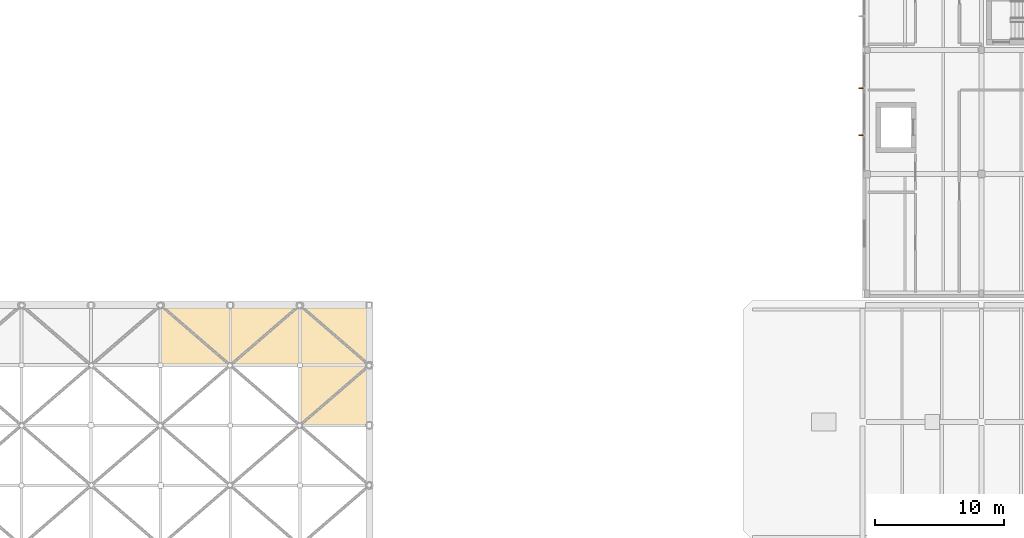
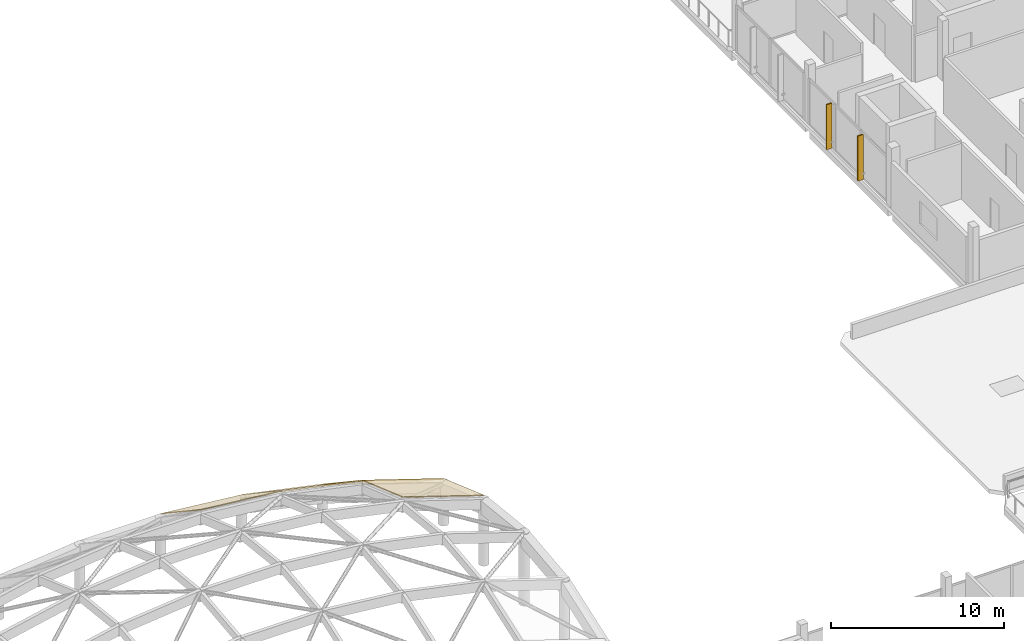
# One storey, part 37 of 41: 4 coverings, 2 shading devices.
"""IFC4 building model written with IfcOpenShell, lengths in metres."""

from ifc_helpers import new_model, si_unit, direction, frame, origin, origin_2d, place, context, subcontext, project, spatial, polyline, rectangle, outline, extrude, material, layer, layer_set, type_object, element, save


model = new_model("IFC4")

# Units and contexts
model_context = context("Model", 3, precision=1e-05, world=origin(), true_north=direction((0.0, 1.0)))
body_context = subcontext(model_context, "Body", "Model", "MODEL_VIEW")
ifc_project = project(units=[si_unit("LENGTHUNIT", "METRE"), si_unit("AREAUNIT", "SQUARE_METRE"), si_unit("VOLUMEUNIT", "CUBIC_METRE"), si_unit("PLANEANGLEUNIT", "RADIAN"), si_unit("MASSUNIT", "GRAM", prefix="KILO")], contexts=[model_context])

# Site, building, storey
site_placement = place(None, origin())
site = spatial("IfcSite", under=ifc_project, at=site_placement, CompositionType="ELEMENT")
building_placement = place(site_placement, origin())
building = spatial("IfcBuilding", under=site, at=building_placement, Name="Birchvale Park Specialist Clinic", CompositionType="ELEMENT")
storey_placement = place(building_placement, frame((0.0, 0.0, 9.60009765625)))
storey = spatial("IfcBuildingStorey", under=building, at=storey_placement, Name="L02", CompositionType="ELEMENT", Elevation=9.60009765625)

# Coverings
ifc_material_1 = material(Name="Standing-seam titanium-zinc roofing")
ifc_layer = layer(ifc_material_1, 0.054931640625)
ifc_layer_set = layer_set([ifc_layer], Name="Standing-seam titanium-zinc roofing")
covering_type = type_object("IfcCoveringType", Name="COV-RF2", PredefinedType="ROOFING", material=ifc_layer_set)
covering_1_placement = place(storey_placement, frame((73.69287109375, 58.39990234375, 6.627197265625), z_axis=(0.086382234799, 0.553259007255, 0.828518304205), x_axis=(0.994608725176, 0.0, -0.103699005798)))
element("IfcCovering", 1, at=covering_1_placement, inside=storey, type_object=covering_type, Name="V1 gridshell standing-seam covering 30", PredefinedType="ROOFING", context=body_context, shape_type="SweptSolid", body=[
    extrude(outline(polyline([(0.0, 0.0), (5.4149355934377565, 0.0), (5.7369442982095995, 5.582346513327925), (0.3220087047718434, 5.582346513327925), (0.0, 0.0)])), origin(), (0.0, 0.0, -1.0), 0.054931640625),
])
covering_2_placement = place(storey_placement, frame((79.07861328125, 58.39990234375, 6.065673828125), z_axis=(0.17367317215, 0.546895579373, 0.818988922109), x_axis=(0.978246670793, 0.0, -0.207445055574)))
element("IfcCovering", 2, at=covering_2_placement, inside=storey, type_object=covering_type, Name="V1 gridshell standing-seam covering 36", PredefinedType="ROOFING", context=body_context, shape_type="SweptSolid", body=[
    extrude(outline(polyline([(0.0, 0.0), (5.5055052557793625, 0.0), (6.149668747441984, 5.554397860868658), (0.6441634916626215, 5.554397860868658), (0.0, 0.0)])), origin(), (0.0, 0.0, -1.0), 0.054931640625),
])
covering_3_placement = place(storey_placement, frame((84.46435546875, 53.75, 6.563232421875), z_axis=(0.295043747658, 0.317746822713, 0.901102737552), x_axis=(0.950354284012, 0.0, -0.311169945304)))
element("IfcCovering", 3, at=covering_3_placement, inside=storey, type_object=covering_type, Name="V1 gridshell standing-seam covering 41", PredefinedType="ROOFING", context=body_context, shape_type="SweptSolid", body=[
    extrude(outline(polyline([(0.0, 0.0), (5.66708887212652, 1.1102230246251565e-16), (6.177298186741902, 4.904051922674518), (0.5102093146153828, 4.904051922674518), (0.0, 0.0)])), origin(), (0.0, 0.0, -1.0), 0.054931640625),
])
covering_4_placement = place(storey_placement, frame((84.46435546875, 58.39990234375, 4.923583984375), z_axis=(0.262729709177, 0.535825606069, 0.802411378158), x_axis=(0.950354284012, 0.0, -0.311169945304)))
element("IfcCovering", 4, at=covering_4_placement, inside=storey, type_object=covering_type, Name="V1 gridshell standing-seam covering 42", PredefinedType="ROOFING", context=body_context, shape_type="SweptSolid", body=[
    extrude(outline(polyline([(0.0, 0.0), (5.66708887212652, 0.0), (6.633341443983735, 5.507507436962079), (0.9662525718572146, 5.507507436962079), (0.0, 0.0)])), origin(), (0.0, 0.0, -1.0), 0.054931640625),
])

# Shading devices
ifc_material_2 = material(Name="Glulam GL28h", Category="wood")
shading_device_type = type_object("IfcShadingDeviceType", Name="SHD-FIN1", PredefinedType="USERDEFINED", material=ifc_material_2)
for number, where, z_axis, x_axis, name in (
    (5, (127.89501953125, 79.841064453125, 0.0498046875), (0.0, 0.0, 1.0), (1.0, 0.0, 0.0), "V6 L02 glulam solar fin 44"),
    (6, (127.89501953125, 76.208984375, 0.0498046875), (0.0, 0.0, 1.0), (1.0, 0.0, 0.0), "V6 L02 glulam solar fin 45"),
):
    element("IfcShadingDevice", number, at=place(storey_placement, frame(where, z_axis=z_axis, x_axis=x_axis)), inside=storey, type_object=shading_device_type, Name=name, ObjectType="FIN", PredefinedType="USERDEFINED", context=body_context, shape_type="SweptSolid", body=[
        extrude(rectangle(XDim=0.360107421875, YDim=0.090087890625, at=origin_2d()), origin(), (0.0, 0.0, 1.0), 3.1650390625),
    ])

save(model, "model.ifc")
